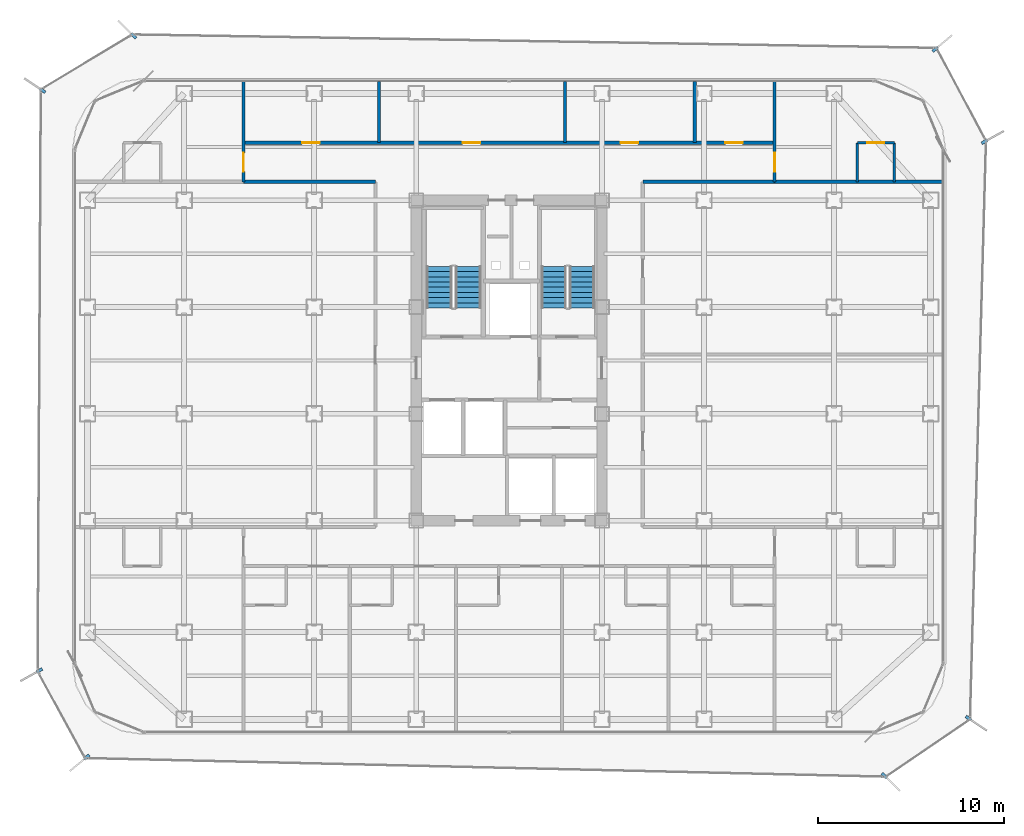
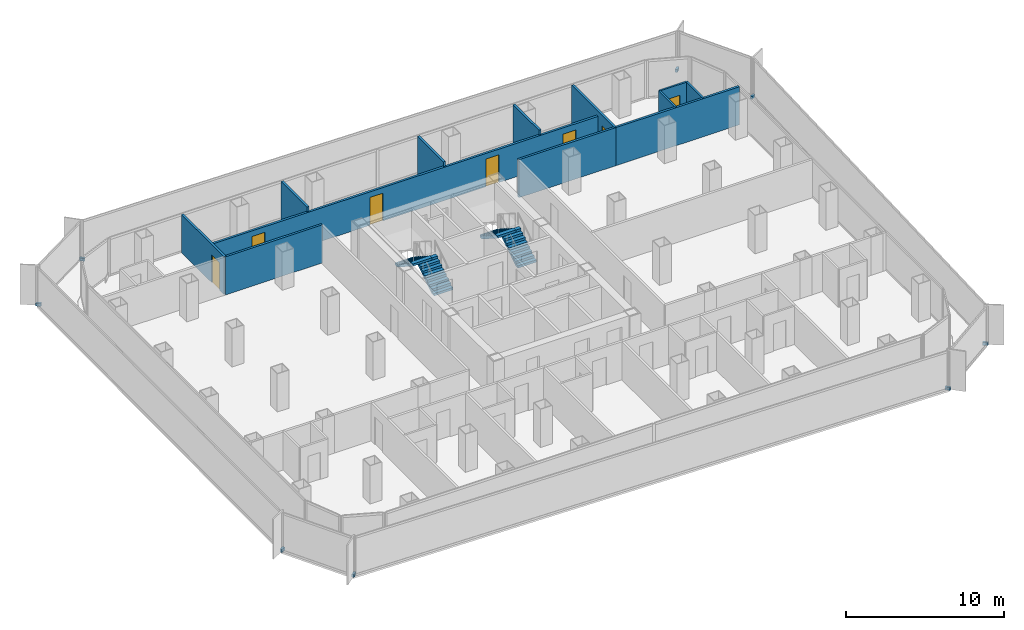
# One storey, part 18 of 21: 12 walls, 8 discrete accessories, 7 doors, 4 stair flights, 7 openings, 2 elements without a shape of their own.
"""IFC4 building model written with IfcOpenShell, lengths in metres."""

from ifc_helpers import new_model, si_unit, direction, frame, frame_2d, origin, origin_2d, place, context, subcontext, project, spatial, polyline, rectangle, outline, extrude, source, transform, mapped, material, layer, layer_set, type_object, element, fill, aggregate, save


model = new_model("IFC4")

# Units and contexts
model_context = context("Model", 3, precision=1e-05, world=origin(), true_north=direction((0.0, 1.0)))
body_context = subcontext(model_context, "Body", "Model", "MODEL_VIEW")
ifc_project = project(units=[si_unit("LENGTHUNIT", "METRE"), si_unit("AREAUNIT", "SQUARE_METRE"), si_unit("VOLUMEUNIT", "CUBIC_METRE"), si_unit("PLANEANGLEUNIT", "RADIAN"), si_unit("MASSUNIT", "GRAM", prefix="KILO")], contexts=[model_context])

# Site, building, storey
site_placement = place(None, origin())
site = spatial("IfcSite", under=ifc_project, at=site_placement, CompositionType="ELEMENT")
building_placement = place(site_placement, origin())
building = spatial("IfcBuilding", under=site, at=building_placement, Name="Kolveth Station Tower", CompositionType="ELEMENT")
storey_placement = place(building_placement, frame((0.0, 0.0, 102.300048828125)))
storey = spatial("IfcBuildingStorey", under=building, at=storey_placement, Name="L27", CompositionType="ELEMENT", Elevation=102.300048828125)

# Walls
ifc_material_1 = material(Name="Moisture-resistant gypsum partition")
ifc_layer_1 = layer(ifc_material_1, 0.135009765625)
ifc_layer_set_1 = layer_set([ifc_layer_1], Name="Moisture-resistant gypsum partition")
wall_type_1 = type_object("IfcWallType", Name="Wall_IW-135", PredefinedType="PARTITIONING", material=ifc_layer_set_1)
for number, where, z_axis, x_axis, name in (
    (1, (42.25, 29.75, 0.0), (0.0, 0.0, 1.0), (0.0, 1.0, 0.0), "L27 Partition Wall WL-L27-ES2-BV1"),
    (2, (44.25, 29.75, 0.0), (0.0, 0.0, 1.0), (0.0, 1.0, 0.0), "L27 Partition Wall WL-L27-ES2-BV2"),
):
    element("IfcWall", number, at=place(storey_placement, frame(where, z_axis=z_axis, x_axis=x_axis)), inside=storey, type_object=wall_type_1, Name=name, PredefinedType="PARTITIONING", context=body_context, shape_type="SweptSolid", body=[
        extrude(rectangle(XDim=2.10009765625, YDim=0.135009765625, at=frame_2d((1.050048828125, 0.0))), origin(), (0.0, 0.0, 1.0), 2.949951171875),
    ])

# Wall, opening, door
wall_1_placement = place(storey_placement, frame((42.25, 31.85009765625, 0.0), z_axis=(0.0, 0.0, 1.0), x_axis=(1.0, 0.0, 0.0)))
wall_1 = element("IfcWall", 3, at=wall_1_placement, inside=storey, type_object=wall_type_1, Name="L27 Partition Wall WL-L27-ES2-BH", PredefinedType="PARTITIONING", context=body_context, shape_type="SweptSolid", body=[
    extrude(rectangle(XDim=2.0, YDim=0.135009765625, at=frame_2d((1.0, 0.0))), origin(), (0.0, 0.0, 1.0), 2.949951171875),
])
opening_1_placement = place(wall_1_placement, frame((0.5400390625, 0.0, 0.0)))
opening_1 = element("IfcOpeningElement", 4, at=opening_1_placement, cuts=wall_1, Name="Opening ID2", PredefinedType="OPENING", context=body_context, shape_type="SweptSolid", body=[
    extrude(rectangle(XDim=0.919921875, YDim=2.10009765625, at=frame_2d((0.4599609375, 1.050048828125))), frame((0.0, 0.077392578125, 0.0), z_axis=(0.0, -1.0, 0.0), x_axis=(1.0, 0.0, 0.0)), (0.0, 0.0, 1.0), 0.155029296875),
])
ifc_material_2 = material(Name="Moisture-resistant hardwood leaf", Category="wood")
door_type_1 = type_object("IfcDoorType", Name="Door_ID2", OperationType="NOTDEFINED", PredefinedType="DOOR", material=ifc_material_2)
door_1_placement = place(opening_1_placement, frame((0.919921875, 0.0, 0.0), z_axis=(0.0, 0.0, 1.0), x_axis=(-1.0, 0.0, 0.0)))
door_1 = element("IfcDoor", 5, at=door_1_placement, inside=storey, type_object=door_type_1, Name="L27 Hotel Corner Suite ES2 En-Suite Door", OperationType="SINGLE_SWING_RIGHT", OverallHeight=2.10009765625, OverallWidth=0.919921875, PredefinedType="DOOR", context=body_context, shape_type="SweptSolid", body=[
    extrude(rectangle(XDim=0.919921875, YDim=2.10009765625, at=frame_2d((0.4599609375, 1.050048828125))), frame((0.0, 0.02490234375, 0.0), z_axis=(0.0, -1.0, 0.0), x_axis=(1.0, 0.0, 0.0)), (0.0, 0.0, 1.0), 0.050048828125),
])
fill(opening_1, door_1)

# Wall, openings, doors
ifc_material_3 = material(Name="Acoustic double-stud gypsum partition")
ifc_layer_2 = layer(ifc_material_3, 0.1650390625)
ifc_layer_set_2 = layer_set([ifc_layer_2], Name="Acoustic double-stud gypsum partition")
wall_type_2 = type_object("IfcWallType", Name="Wall_IW-165", PredefinedType="PARTITIONING", material=ifc_layer_set_2)
wall_2_placement = place(storey_placement, frame((9.199951171875, 31.85009765625, 0.0), z_axis=(0.0, 0.0, 1.0), x_axis=(1.0, 0.0, 0.0)))
wall_2 = element("IfcWall", 6, at=wall_2_placement, inside=storey, type_object=wall_type_2, Name="L27 Partition Wall WL-L27-HN", PredefinedType="PARTITIONING", context=body_context, shape_type="SweptSolid", body=[
    extrude(rectangle(XDim=28.60009765625, YDim=0.1650390625, at=frame_2d((14.300048828125, 0.0))), origin(), (0.0, 0.0, 1.0), 2.5830078125),
])
opening_2_placement = place(wall_2_placement, frame((3.14990234375, 0.0, 0.0)))
opening_2 = element("IfcOpeningElement", 7, at=opening_2_placement, cuts=wall_2, Name="Opening ID1", PredefinedType="OPENING", context=body_context, shape_type="SweptSolid", body=[
    extrude(rectangle(XDim=0.949951171875, YDim=2.14990234375, at=frame_2d((0.47509765625, 1.074951171875))), frame((0.0, 0.092529296875, 0.0), z_axis=(0.0, -1.0, 0.0), x_axis=(1.0, 0.0, 0.0)), (0.0, 0.0, 1.0), 0.18505859375),
])
opening_3_placement = place(wall_2_placement, frame((11.800048828125, 0.0, 0.0)))
opening_3 = element("IfcOpeningElement", 8, at=opening_3_placement, cuts=wall_2, Name="Opening ID1", PredefinedType="OPENING", context=body_context, shape_type="SweptSolid", body=[
    extrude(rectangle(XDim=0.949951171875, YDim=2.14990234375, at=frame_2d((0.47509765625, 1.074951171875))), frame((0.0, 0.092529296875, 0.0), z_axis=(0.0, -1.0, 0.0), x_axis=(1.0, 0.0, 0.0)), (0.0, 0.0, 1.0), 0.18505859375),
])
opening_4_placement = place(wall_2_placement, frame((20.300048828125, 0.0, 0.0)))
opening_4 = element("IfcOpeningElement", 9, at=opening_4_placement, cuts=wall_2, Name="Opening ID1", PredefinedType="OPENING", context=body_context, shape_type="SweptSolid", body=[
    extrude(rectangle(XDim=0.949951171875, YDim=2.14990234375, at=frame_2d((0.47509765625, 1.074951171875))), frame((0.0, 0.092529296875, 0.0), z_axis=(0.0, -1.0, 0.0), x_axis=(1.0, 0.0, 0.0)), (0.0, 0.0, 1.0), 0.18505859375),
])
opening_5_placement = place(wall_2_placement, frame((25.949951171875, 0.0, 0.0)))
opening_5 = element("IfcOpeningElement", 10, at=opening_5_placement, cuts=wall_2, Name="Opening ID2", PredefinedType="OPENING", context=body_context, shape_type="SweptSolid", body=[
    extrude(rectangle(XDim=0.919921875, YDim=2.10009765625, at=frame_2d((0.4599609375, 1.050048828125))), frame((0.0, 0.092529296875, 0.0), z_axis=(0.0, -1.0, 0.0), x_axis=(1.0, 0.0, 0.0)), (0.0, 0.0, 1.0), 0.18505859375),
])
ifc_material_4 = material(Name="Acoustic hardwood leaf and aluminium frame", Category="wood")
door_type_2 = type_object("IfcDoorType", Name="Door_ID1", OperationType="NOTDEFINED", PredefinedType="DOOR", material=ifc_material_4)
door_2_placement = place(opening_2_placement, origin())
door_2 = element("IfcDoor", 11, at=door_2_placement, inside=storey, type_object=door_type_2, Name="L27 Hospitality Meeting Room 1 Door", OperationType="SINGLE_SWING_RIGHT", OverallHeight=2.14990234375, OverallWidth=0.949951171875, PredefinedType="DOOR", context=body_context, shape_type="SweptSolid", body=[
    extrude(rectangle(XDim=0.949951171875, YDim=2.14990234375, at=frame_2d((0.47509765625, 1.074951171875))), frame((0.0, 0.02490234375, 0.0), z_axis=(0.0, -1.0, 0.0), x_axis=(1.0, 0.0, 0.0)), (0.0, 0.0, 1.0), 0.050048828125),
])
fill(opening_2, door_2)
door_3_placement = place(opening_3_placement, origin())
door_3 = element("IfcDoor", 12, at=door_3_placement, inside=storey, type_object=door_type_2, Name="L27 Hospitality Meeting Room 2 Door", OperationType="SINGLE_SWING_LEFT", OverallHeight=2.14990234375, OverallWidth=0.949951171875, PredefinedType="DOOR", context=body_context, shape_type="SweptSolid", body=[
    extrude(rectangle(XDim=0.949951171875, YDim=2.14990234375, at=frame_2d((0.47509765625, 1.074951171875))), frame((0.0, 0.02490234375, 0.0), z_axis=(0.0, -1.0, 0.0), x_axis=(1.0, 0.0, 0.0)), (0.0, 0.0, 1.0), 0.050048828125),
])
fill(opening_3, door_3)
door_4_placement = place(opening_4_placement, origin())
door_4 = element("IfcDoor", 13, at=door_4_placement, inside=storey, type_object=door_type_2, Name="L27 Floor Service Pantry Door", OperationType="SINGLE_SWING_LEFT", OverallHeight=2.14990234375, OverallWidth=0.949951171875, PredefinedType="DOOR", context=body_context, shape_type="SweptSolid", body=[
    extrude(rectangle(XDim=0.949951171875, YDim=2.14990234375, at=frame_2d((0.47509765625, 1.074951171875))), frame((0.0, 0.02490234375, 0.0), z_axis=(0.0, -1.0, 0.0), x_axis=(1.0, 0.0, 0.0)), (0.0, 0.0, 1.0), 0.050048828125),
])
fill(opening_4, door_4)
door_5_placement = place(opening_5_placement, origin())
door_5 = element("IfcDoor", 14, at=door_5_placement, inside=storey, type_object=door_type_1, Name="L27 Accessible Guest WC Door", OperationType="SINGLE_SWING_LEFT", OverallHeight=2.10009765625, OverallWidth=0.919921875, PredefinedType="DOOR", context=body_context, shape_type="SweptSolid", body=[
    extrude(rectangle(XDim=0.919921875, YDim=2.10009765625, at=frame_2d((0.4599609375, 1.050048828125))), frame((0.0, 0.02490234375, 0.0), z_axis=(0.0, -1.0, 0.0), x_axis=(1.0, 0.0, 0.0)), (0.0, 0.0, 1.0), 0.050048828125),
])
fill(opening_5, door_5)

# Walls
for number, where, z_axis, x_axis, name in (
    (15, (9.199951171875, 29.75, 0.0), (0.0, 0.0, 1.0), (1.0, 0.0, 0.0), "L27 Partition Wall WL-L27-HNWB"),
    (16, (30.699951171875, 29.75, 0.0), (0.0, 0.0, 1.0), (1.0, 0.0, 0.0), "L27 Partition Wall WL-L27-HNEB"),
):
    element("IfcWall", number, at=place(storey_placement, frame(where, z_axis=z_axis, x_axis=x_axis)), inside=storey, type_object=wall_type_2, Name=name, PredefinedType="PARTITIONING", context=body_context, shape_type="SweptSolid", body=[
        extrude(rectangle(XDim=7.10009765625, YDim=0.1650390625, at=frame_2d((3.550048828125, 0.0))), origin(), (0.0, 0.0, 1.0), 2.949951171875),
    ])

# Wall, opening, door
wall_3_placement = place(storey_placement, frame((9.199951171875, 29.75, 0.0), z_axis=(0.0, 0.0, 1.0), x_axis=(0.0, 1.0, 0.0)))
wall_3 = element("IfcWall", 17, at=wall_3_placement, inside=storey, type_object=wall_type_2, Name="L27 Partition Wall WL-L27-END-WN", PredefinedType="PARTITIONING", context=body_context, shape_type="SweptSolid", body=[
    extrude(rectangle(XDim=5.389892578125, YDim=0.1650390625, at=frame_2d((2.69482421875, 0.0))), origin(), (0.0, 0.0, 1.0), 2.949951171875),
])
opening_6_placement = place(wall_3_placement, frame((0.550048828125, 0.0, 0.0)))
opening_6 = element("IfcOpeningElement", 18, at=opening_6_placement, cuts=wall_3, Name="Opening FD3", PredefinedType="OPENING", context=body_context, shape_type="SweptSolid", body=[
    extrude(rectangle(XDim=1.0, YDim=2.14990234375, at=frame_2d((0.5, 1.074951171875))), frame((0.0, 0.092529296875, 0.0), z_axis=(0.0, -1.0, 0.0), x_axis=(1.0, 0.0, 0.0)), (0.0, 0.0, 1.0), 0.18505859375),
])
ifc_material_5 = material(Name="Fire-rated hardwood leaf and aluminium frame", Category="wood")
door_type_3 = type_object("IfcDoorType", Name="Door_FD3", OperationType="NOTDEFINED", PredefinedType="DOOR", material=ifc_material_5)
door_6_placement = place(opening_6_placement, origin())
door_6 = element("IfcDoor", 19, at=door_6_placement, inside=storey, type_object=door_type_3, Name="L27 Hotel Guest Room WS2 Entrance Door", OperationType="SINGLE_SWING_LEFT", OverallHeight=2.14990234375, OverallWidth=1.0, PredefinedType="DOOR", context=body_context, shape_type="SweptSolid", body=[
    extrude(rectangle(XDim=1.0, YDim=2.14990234375, at=frame_2d((0.5, 1.074951171875))), frame((0.0, 0.02490234375, 0.0), z_axis=(0.0, -1.0, 0.0), x_axis=(1.0, 0.0, 0.0)), (0.0, 0.0, 1.0), 0.050048828125),
])
fill(opening_6, door_6)

wall_4_placement = place(storey_placement, frame((37.800048828125, 29.75, 0.0), z_axis=(0.0, 0.0, 1.0), x_axis=(0.0, 1.0, 0.0)))
wall_4 = element("IfcWall", 20, at=wall_4_placement, inside=storey, type_object=wall_type_2, Name="L27 Partition Wall WL-L27-END-EN", PredefinedType="PARTITIONING", context=body_context, shape_type="SweptSolid", body=[
    extrude(rectangle(XDim=5.389892578125, YDim=0.1650390625, at=frame_2d((2.69482421875, 0.0))), origin(), (0.0, 0.0, 1.0), 2.949951171875),
])
opening_7_placement = place(wall_4_placement, frame((0.550048828125, 0.0, 0.0)))
opening_7 = element("IfcOpeningElement", 21, at=opening_7_placement, cuts=wall_4, Name="Opening FD3", PredefinedType="OPENING", context=body_context, shape_type="SweptSolid", body=[
    extrude(rectangle(XDim=1.0, YDim=2.14990234375, at=frame_2d((0.5, 1.074951171875))), frame((0.0, 0.092529296875, 0.0), z_axis=(0.0, -1.0, 0.0), x_axis=(1.0, 0.0, 0.0)), (0.0, 0.0, 1.0), 0.18505859375),
])
door_7_placement = place(opening_7_placement, frame((1.0, 0.0, 0.0), z_axis=(0.0, 0.0, 1.0), x_axis=(-1.0, 0.0, 0.0)))
door_7 = element("IfcDoor", 22, at=door_7_placement, inside=storey, type_object=door_type_3, Name="L27 Hotel Corner Suite ES2 Entrance Door", OperationType="SINGLE_SWING_LEFT", OverallHeight=2.14990234375, OverallWidth=1.0, PredefinedType="DOOR", context=body_context, shape_type="SweptSolid", body=[
    extrude(rectangle(XDim=1.0, YDim=2.14990234375, at=frame_2d((0.5, 1.074951171875))), frame((0.0, 0.02490234375, 0.0), z_axis=(0.0, -1.0, 0.0), x_axis=(1.0, 0.0, 0.0)), (0.0, 0.0, 1.0), 0.050048828125),
])
fill(opening_7, door_7)

# Walls
wall_5_placement = place(storey_placement, frame((37.800048828125, 29.75, 0.0), z_axis=(0.0, 0.0, 1.0), x_axis=(1.0, 0.0, 0.0)))
element("IfcWall", 23, at=wall_5_placement, inside=storey, type_object=wall_type_2, Name="L27 Partition Wall WL-L27-EM2", PredefinedType="PARTITIONING", context=body_context, shape_type="SweptSolid", body=[
    extrude(rectangle(XDim=9.0400390625, YDim=0.1650390625, at=frame_2d((4.52001953125, 0.0))), origin(), (0.0, 0.0, 1.0), 2.949951171875),
])
for number, where, z_axis, x_axis, name in (
    (24, (16.5, 31.85009765625, 0.0), (0.0, 0.0, 1.0), (0.0, 1.0, 0.0), "L27 Partition Wall WL-L27-HN-P1"),
    (25, (26.5, 31.85009765625, 0.0), (0.0, 0.0, 1.0), (0.0, 1.0, 0.0), "L27 Partition Wall WL-L27-HN-P2"),
    (26, (33.5, 31.85009765625, 0.0), (0.0, 0.0, 1.0), (0.0, 1.0, 0.0), "L27 Partition Wall WL-L27-HN-P3"),
):
    element("IfcWall", number, at=place(storey_placement, frame(where, z_axis=z_axis, x_axis=x_axis)), inside=storey, type_object=wall_type_2, Name=name, PredefinedType="PARTITIONING", context=body_context, shape_type="SweptSolid", body=[
        extrude(rectangle(XDim=3.289794921875, YDim=0.1650390625, at=frame_2d((1.64501953125, 0.0))), origin(), (0.0, 0.0, 1.0), 2.949951171875),
    ])

# Stair, stair flights
ifc_material_6 = material(Name="Concrete C40/50", Category="concrete")
stair_type_1 = type_object("IfcStairType", Name="Stair_ST1", PredefinedType="HALF_TURN_STAIR", material=ifc_material_6)
stair_1_placement = place(storey_placement, origin())
stair_1 = element("IfcStair", 27, at=stair_1_placement, inside=storey, type_object=stair_type_1, Name="L27 Tower Exit Stair ST1", PredefinedType="HALF_TURN_STAIR")
ifc_layer_3 = layer(ifc_material_6, 0.179931640625)
ifc_layer_set_3 = layer_set([ifc_layer_3], Name="Concrete C40/50")
stair_flight_type_1 = type_object("IfcStairFlightType", Name="Flight_ST1", PredefinedType="STRAIGHT", material=ifc_layer_set_3)
stair_flight_1_placement = place(storey_placement, frame((21.300048828125, 22.949951171875, 0.0), z_axis=(0.0, 0.0, 1.0), x_axis=(0.0, 1.0, 0.0)))
stair_flight_1 = element("IfcStairFlight", 28, at=stair_flight_1_placement, type_object=stair_flight_type_1, Name="ST1 flight 1", NumberOfRisers=9, NumberOfTreads=8, PredefinedType="STRAIGHT", RiserHeight=0.177777778, TreadLength=0.28, context=body_context, shape_type="SweptSolid", body=[
    extrude(outline(polyline([(0.0, 0.0), (0.0, 0.177734375), (0.280029296875, 0.177734375), (0.280029296875, 0.35546875), (0.56005859375, 0.35546875), (0.56005859375, 0.533447265625), (0.840087890625, 0.533447265625), (0.840087890625, 0.711181640625), (1.1201171875, 0.711181640625), (1.1201171875, 0.888916015625), (1.39990234375, 0.888916015625), (1.39990234375, 1.066650390625), (1.679931640625, 1.066650390625), (1.679931640625, 1.244384765625), (1.9599609375, 1.244384765625), (1.9599609375, 1.422119140625), (2.239990234375, 1.422119140625), (2.239990234375, 1.60009765625), (2.239990234375, 1.24462890625), (0.27978515625, 0.0), (0.0, 0.0)])), frame((0.0, 0.699951171875, 0.0), z_axis=(0.0, -1.0, 0.0), x_axis=(1.0, 0.0, 0.0)), (0.0, 0.0, 1.0), 1.39990234375),
])
stair_flight_2_placement = place(storey_placement, frame((19.739990234375, 25.18994140625, 1.599853515625), z_axis=(0.0, 0.0, 1.0), x_axis=(0.0, -1.0, 0.0)))
stair_flight_2 = element("IfcStairFlight", 29, at=stair_flight_2_placement, type_object=stair_flight_type_1, Name="ST1 flight 2", NumberOfRisers=9, NumberOfTreads=8, PredefinedType="STRAIGHT", RiserHeight=0.177777778, TreadLength=0.28, context=body_context, shape_type="SweptSolid", body=[
    extrude(outline(polyline([(0.0, 0.0), (0.0, 0.177734375), (0.280029296875, 0.177734375), (0.280029296875, 0.35546875), (0.56005859375, 0.35546875), (0.56005859375, 0.533447265625), (0.840087890625, 0.533447265625), (0.840087890625, 0.711181640625), (1.1201171875, 0.711181640625), (1.1201171875, 0.888916015625), (1.39990234375, 0.888916015625), (1.39990234375, 1.066650390625), (1.679931640625, 1.066650390625), (1.679931640625, 1.244384765625), (1.9599609375, 1.244384765625), (1.9599609375, 1.422119140625), (2.239990234375, 1.422119140625), (2.239990234375, 1.60009765625), (2.239990234375, 1.24462890625), (0.27978515625, 0.0), (0.0, 0.0)])), frame((0.0, 0.699951171875, 0.0), z_axis=(0.0, -1.0, 0.0), x_axis=(1.0, 0.0, 0.0)), (0.0, 0.0, 1.0), 1.39990234375),
])
aggregate(stair_1, [stair_flight_1, stair_flight_2])

stair_type_2 = type_object("IfcStairType", Name="Stair_ST2", PredefinedType="HALF_TURN_STAIR", material=ifc_material_6)
stair_2_placement = place(storey_placement, origin())
stair_2 = element("IfcStair", 30, at=stair_2_placement, inside=storey, type_object=stair_type_2, Name="L27 Tower Exit Stair ST2", PredefinedType="HALF_TURN_STAIR")
ifc_layer_4 = layer(ifc_material_6, 0.179931640625)
ifc_layer_set_4 = layer_set([ifc_layer_4], Name="Concrete C40/50")
stair_flight_type_2 = type_object("IfcStairFlightType", Name="Flight_ST2", PredefinedType="STRAIGHT", material=ifc_layer_set_4)
stair_flight_3_placement = place(storey_placement, frame((27.425048828125, 22.949951171875, 0.0), z_axis=(0.0, 0.0, 1.0), x_axis=(0.0, 1.0, 0.0)))
stair_flight_3 = element("IfcStairFlight", 31, at=stair_flight_3_placement, type_object=stair_flight_type_2, Name="ST2 flight 1", NumberOfRisers=9, NumberOfTreads=8, PredefinedType="STRAIGHT", RiserHeight=0.177777778, TreadLength=0.28, context=body_context, shape_type="SweptSolid", body=[
    extrude(outline(polyline([(0.0, 0.0), (0.0, 0.177734375), (0.280029296875, 0.177734375), (0.280029296875, 0.35546875), (0.56005859375, 0.35546875), (0.56005859375, 0.533447265625), (0.840087890625, 0.533447265625), (0.840087890625, 0.711181640625), (1.1201171875, 0.711181640625), (1.1201171875, 0.888916015625), (1.39990234375, 0.888916015625), (1.39990234375, 1.066650390625), (1.679931640625, 1.066650390625), (1.679931640625, 1.244384765625), (1.9599609375, 1.244384765625), (1.9599609375, 1.422119140625), (2.239990234375, 1.422119140625), (2.239990234375, 1.60009765625), (2.239990234375, 1.24462890625), (0.27978515625, 0.0), (0.0, 0.0)])), frame((0.0, 0.675048828125, 0.0), z_axis=(0.0, -1.0, 0.0), x_axis=(1.0, 0.0, 0.0)), (0.0, 0.0, 1.0), 1.35009765625),
])
stair_flight_4_placement = place(storey_placement, frame((25.9150390625, 25.18994140625, 1.599853515625), z_axis=(0.0, 0.0, 1.0), x_axis=(0.0, -1.0, 0.0)))
stair_flight_4 = element("IfcStairFlight", 32, at=stair_flight_4_placement, type_object=stair_flight_type_2, Name="ST2 flight 2", NumberOfRisers=9, NumberOfTreads=8, PredefinedType="STRAIGHT", RiserHeight=0.177777778, TreadLength=0.28, context=body_context, shape_type="SweptSolid", body=[
    extrude(outline(polyline([(0.0, 0.0), (0.0, 0.177734375), (0.280029296875, 0.177734375), (0.280029296875, 0.35546875), (0.56005859375, 0.35546875), (0.56005859375, 0.533447265625), (0.840087890625, 0.533447265625), (0.840087890625, 0.711181640625), (1.1201171875, 0.711181640625), (1.1201171875, 0.888916015625), (1.39990234375, 0.888916015625), (1.39990234375, 1.066650390625), (1.679931640625, 1.066650390625), (1.679931640625, 1.244384765625), (1.9599609375, 1.244384765625), (1.9599609375, 1.422119140625), (2.239990234375, 1.422119140625), (2.239990234375, 1.60009765625), (2.239990234375, 1.24462890625), (0.27978515625, 0.0), (0.0, 0.0)])), frame((0.0, 0.675048828125, 0.0), z_axis=(0.0, -1.0, 0.0), x_axis=(1.0, 0.0, 0.0)), (0.0, 0.0, 1.0), 1.35009765625),
])
aggregate(stair_2, [stair_flight_3, stair_flight_4])

# Discrete accessories
ifc_material_7 = material(Name="Steel S355", Category="steel")
discrete_accessory_type = type_object("IfcDiscreteAccessoryType", Name="Bracket_BK1", PredefinedType="BRACKET", material=ifc_material_7)
shared_shape = source(origin(), body_context, "Body", "SweptSolid", [
    extrude(rectangle(XDim=0.35009765625, YDim=0.159912109375, at=origin_2d()), origin(), (0.0, 0.0, 1.0), 0.219970703125),
])
for number, where, z_axis, x_axis, name in (
    (33, (43.7099609375, -2.22509765625, -0.06005859375), (0.0, 0.0, 1.0), (0.713005742217, -0.701158192968, 0.0), "L27 Double-Skin Radial Tie Bracket 1"),
    (34, (48.2451171875, 0.85791015625, -0.06005859375), (0.0, 0.0, 1.0), (0.827472780913, -0.561505829755, 0.0), "L27 Double-Skin Radial Tie Bracket 2"),
    (35, (49.10205078125, 31.906982421875, -0.06005859375), (0.0, 0.0, 1.0), (0.873687328191, 0.486487875037, 0.0), "L27 Double-Skin Radial Tie Bracket 3"),
    (36, (46.447021484375, 36.885009765625, -0.06005859375), (0.0, 0.0, 1.0), (0.766380900901, 0.64238642166, 0.0), "L27 Double-Skin Radial Tie Bracket 4"),
    (37, (3.280029296875, 37.60302734375, -0.06005859375), (0.0, 0.0, 1.0), (-0.711780904964, 0.70240155419, 0.0), "L27 Double-Skin Radial Tie Bracket 5"),
    (38, (-1.623046875, 34.659912109375, -0.06005859375), (0.0, 0.0, 1.0), (-0.828060334622, 0.560638994563, 0.0), "L27 Double-Skin Radial Tie Bracket 6"),
    (39, (-1.7900390625, 3.43310546875, -0.06005859375), (0.0, 0.0, 1.0), (-0.871727406539, -0.489991151644, 0.0), "L27 Double-Skin Radial Tie Bracket 7"),
    (40, (0.756103515625, -1.22998046875, -0.06005859375), (0.0, 0.0, 1.0), (-0.769399555047, -0.638767817516, 0.0), "L27 Double-Skin Radial Tie Bracket 8"),
):
    element("IfcDiscreteAccessory", number, at=place(storey_placement, frame(where, z_axis=z_axis, x_axis=x_axis)), inside=storey, type_object=discrete_accessory_type, Name=name, PredefinedType="BRACKET", context=body_context, shape_type="MappedRepresentation", body=[
        mapped(shared_shape, transform((0.0, 0.0, 0.0), x_axis=(1.0, 0.0, 0.0), y_axis=(0.0, 1.0, 0.0), z_axis=(0.0, 0.0, 1.0), scale=1.0)),
    ])

save(model, "model.ifc")
